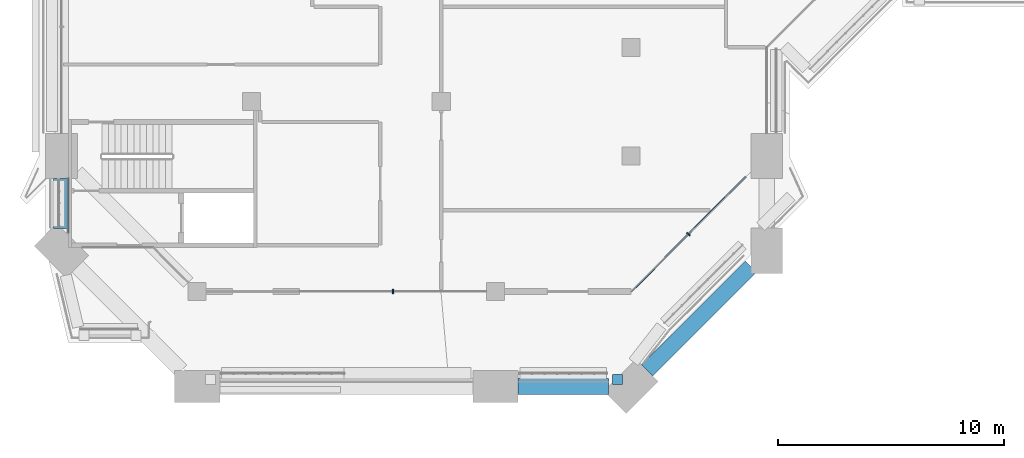
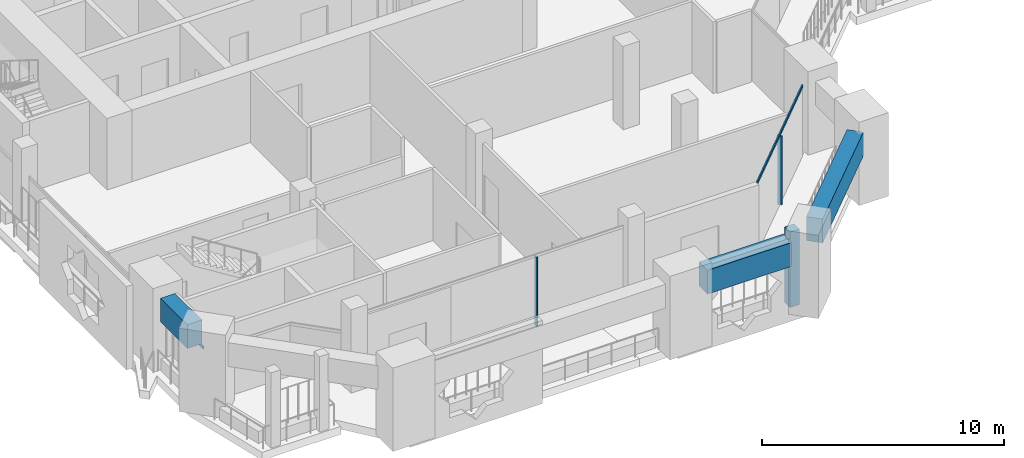
# One storey, part 2 of 22: 5 members, 3 beams, 4 elements without a shape of their own.
"""IFC4 building model written with IfcOpenShell, lengths in metres."""

import ifcopenshell
import ifcopenshell.guid

model = None  # the IFC model being written
_history = None  # IfcOwnerHistory: only IFC2X3 demands one
_inside = {}  # id of a spatial element -> (the spatial element, [elements in it])
_under = {}  # id of a project, library or spatial element -> (it, [spatial elements below it])
_declared = {}  # id of a project -> (the project, [libraries it declares])
_typed = {}  # id of a type object -> (the type object, [elements of that type])
_made_of = {}  # id of a material, layer set ... -> (it, [elements and type objects made of it])


def new_model(schema):
    """Start an empty IFC model of exactly this schema.

    Asked for "IFC4X3", IfcOpenShell would pick the latest addendum, in which some entities
    have other attributes; the version numbers below select the first issue.
    IFC2X3 requires an IfcOwnerHistory on every rooted entity: one is made here for all.
    """
    global model, _history
    if schema == "IFC4X3":
        model = ifcopenshell.file(schema_version=(4, 3, 0, 0))
    else:
        model = ifcopenshell.file(schema=schema)
    _inside.clear()
    _under.clear()
    _declared.clear()
    _typed.clear()
    _made_of.clear()
    _history = None
    if model.schema == "IFC2X3":
        org = make("IfcOrganization", Name="unknown")
        user = make(
            "IfcPersonAndOrganization",
            ThePerson=make("IfcPerson", FamilyName="unknown"),
            TheOrganization=org,
        )
        app = make(
            "IfcApplication",
            ApplicationDeveloper=org,
            Version="unknown",
            ApplicationFullName="unknown",
            ApplicationIdentifier="unknown",
        )
        _history = make(
            "IfcOwnerHistory",
            OwningUser=user,
            OwningApplication=app,
            ChangeAction="ADDED",
            CreationDate=0,
        )
    return model


def make(cls, **values):
    """One entity of the class cls with the attributes given. An attribute that is None is left unset."""
    return model.create_entity(
        cls, **{name: value for name, value in values.items() if value is not None}
    )


def rooted(cls, **values):
    """An entity with a GlobalId (a new one), such as an element, a storey or a relation."""
    return make(cls, GlobalId=ifcopenshell.guid.new(), OwnerHistory=_history, **values)


def si_unit(unit_type, name, prefix=None):
    """IfcSIUnit, for example si_unit("LENGTHUNIT", "METRE", prefix="MILLI")."""
    return make("IfcSIUnit", UnitType=unit_type, Prefix=prefix, Name=name)


def assignment(units):
    """IfcUnitAssignment: the units of a project."""
    return None if units is None else make("IfcUnitAssignment", Units=units)


def point(xyz):
    """IfcCartesianPoint."""
    return None if xyz is None else make("IfcCartesianPoint", Coordinates=xyz)


def direction(xyz):
    """IfcDirection."""
    return None if xyz is None else make("IfcDirection", DirectionRatios=xyz)


def frame(location, z_axis=None, x_axis=None):
    """IfcAxis2Placement3D, a coordinate frame: its origin and axes. An axis left out is left unset."""
    return make(
        "IfcAxis2Placement3D",
        Location=point(location),
        Axis=direction(z_axis),
        RefDirection=direction(x_axis),
    )


def frame_2d(location, x_axis=None):
    """IfcAxis2Placement2D, a coordinate frame in the plane: its origin and x axis."""
    return make(
        "IfcAxis2Placement2D", Location=point(location), RefDirection=direction(x_axis)
    )


def origin():
    """The frame at (0, 0, 0) with its axes left unset."""
    return frame((0.0, 0.0, 0.0))


def origin_2d():
    """The frame at (0, 0) in the plane with its x axis left unset."""
    return frame_2d((0.0, 0.0))


def place(relative_to, where):
    """IfcLocalPlacement: puts the frame where relative to a parent placement (None: the world)."""
    return make(
        "IfcLocalPlacement", PlacementRelTo=relative_to, RelativePlacement=where
    )


def context(
    kind, dimensions, precision=None, world=None, true_north=None, identifier=None
):
    """IfcGeometricRepresentationContext, for example the 3D "Model" context."""
    return make(
        "IfcGeometricRepresentationContext",
        ContextIdentifier=identifier,
        ContextType=kind,
        CoordinateSpaceDimension=dimensions,
        Precision=precision,
        WorldCoordinateSystem=world,
        TrueNorth=true_north,
    )


def subcontext(parent, identifier, kind, view, scale=None):
    """IfcGeometricRepresentationSubContext, for example "Body" below "Model"."""
    return make(
        "IfcGeometricRepresentationSubContext",
        ContextIdentifier=identifier,
        ContextType=kind,
        ParentContext=parent,
        TargetScale=scale,
        TargetView=view,
    )


def project(units=None, contexts=None):
    """IfcProject with its units and contexts."""
    return rooted(
        "IfcProject",
        Name="project",
        RepresentationContexts=contexts,
        UnitsInContext=assignment(units),
    )


def spatial(cls, under=None, at=None, **own):
    """A site, building, storey or space (cls), placed at a placement, below another one or the project."""
    s = rooted(cls, ObjectPlacement=at, **own)
    if under is not None:
        _under.setdefault(under.id(), (under, []))[1].append(s)
    return s


def profile(cls, at=None, kind="AREA", **sizes):
    """A parametric profile (cls). Its sizes go by their IFC names, for example OverallWidth=200.0."""
    return make(cls, ProfileType=kind, Position=at, **sizes)


def rectangle(**sizes):
    """IfcRectangleProfileDef."""
    return profile("IfcRectangleProfileDef", **sizes)


def extrude(swept, where, along, depth):
    """IfcExtrudedAreaSolid: the profile swept, set in the frame where, extruded along a direction by depth."""
    return make(
        "IfcExtrudedAreaSolid",
        SweptArea=swept,
        Position=where,
        ExtrudedDirection=direction(along),
        Depth=depth,
    )


def shape(context_of_items, identifier, shape_type, items):
    """IfcShapeRepresentation: the items that make up one representation, for example the "Body"."""
    return make(
        "IfcShapeRepresentation",
        ContextOfItems=context_of_items,
        RepresentationIdentifier=identifier,
        RepresentationType=shape_type,
        Items=items,
    )


def material(Name=None, Category=None):
    """IfcMaterial."""
    return make("IfcMaterial", Name=Name, Category=Category)


def layer(
    of_material, thickness, ventilated=None, Name=None, Category=None, Priority=None
):
    """IfcMaterialLayer: one layer of a wall or slab, of a material (None: an air gap)."""
    return make(
        "IfcMaterialLayer",
        Material=of_material,
        LayerThickness=thickness,
        IsVentilated=ventilated,
        Name=Name,
        Category=Category,
        Priority=Priority,
    )


def layer_set(layers, Name=None):
    """IfcMaterialLayerSet."""
    return make("IfcMaterialLayerSet", MaterialLayers=layers, LayerSetName=Name)


def material_profile(
    of_material, cross_section, Name=None, Category=None, Priority=None
):
    """IfcMaterialProfile: a cross section and its material."""
    return make(
        "IfcMaterialProfile",
        Name=Name,
        Material=of_material,
        Profile=cross_section,
        Priority=Priority,
        Category=Category,
    )


def profile_set(profiles, Name=None, composite=None):
    """IfcMaterialProfileSet."""
    return make(
        "IfcMaterialProfileSet",
        Name=Name,
        MaterialProfiles=profiles,
        CompositeProfile=composite,
    )


def made_of(thing, what):
    """Note that an element or type object is made of a material, layer set ...; save() writes the relation."""
    if what is not None:
        _made_of.setdefault(what.id(), (what, []))[1].append(thing)
    return thing


def type_object(cls, material=None, **own):
    """A type object (cls), such as IfcWallType, which elements share."""
    return made_of(rooted(cls, **own), material)


def element(
    cls,
    number,
    at=None,
    inside=None,
    cuts=None,
    type_object=None,
    material=None,
    context=None,
    identifier="Body",
    shape_type=None,
    held_by="IfcProductDefinitionShape",
    body=None,
    shapes=None,
    **own,
):
    """One element of the class cls, such as IfcWall. Its Tag is "e" and its number.

    at: its placement. inside: the storey or other place that contains it. cuts: it is an
    opening in that element (IfcRelVoidsElement). A single representation is given by context,
    identifier, shape_type and body (its items); several are given by shapes. held_by: the class
    of the entity that holds the representations. save() writes the other relations.
    """
    e = rooted(cls, Tag="e%d" % number, ObjectPlacement=at, **own)
    if body is not None:
        shapes = [shape(context, identifier, shape_type, body)]
    if shapes is not None:
        e.Representation = make(held_by, Representations=shapes)
    if inside is not None:
        _inside.setdefault(inside.id(), (inside, []))[1].append(e)
    if cuts is not None:
        rooted(
            "IfcRelVoidsElement", RelatingBuildingElement=cuts, RelatedOpeningElement=e
        )
    if type_object is not None:
        _typed.setdefault(type_object.id(), (type_object, []))[1].append(e)
    return made_of(e, material)


def aggregate(whole, parts):
    """IfcRelAggregates: a whole, such as a stair, and the parts it consists of."""
    return rooted("IfcRelAggregates", RelatingObject=whole, RelatedObjects=parts)


def save(model, path):
    """Write the relations noted so far, then the file.

    IfcRelAggregates (storeys below a building ...), IfcRelContainedInSpatialStructure (elements
    in a storey), IfcRelDefinesByType, IfcRelAssociatesMaterial and IfcRelDeclares: one each for
    every whole, place, type object, material and project.
    """
    for whole, parts in _under.values():
        aggregate(whole, parts)
    for where, things in _inside.values():
        rooted(
            "IfcRelContainedInSpatialStructure",
            RelatedElements=things,
            RelatingStructure=where,
        )
    for kind, things in _typed.values():
        rooted("IfcRelDefinesByType", RelatedObjects=things, RelatingType=kind)
    for what, things in _made_of.values():
        rooted("IfcRelAssociatesMaterial", RelatedObjects=things, RelatingMaterial=what)
    for by, libraries in _declared.values():
        rooted("IfcRelDeclares", RelatingContext=by, RelatedDefinitions=libraries)
    model.write(path)


model = new_model("IFC4")

# Units and contexts
model_context = context("Model", 3, precision=1e-05, world=origin(), true_north=direction((0.0, 1.0)))
body_context = subcontext(model_context, "Body", "Model", "MODEL_VIEW")
ifc_project = project(units=[si_unit("LENGTHUNIT", "METRE"), si_unit("AREAUNIT", "SQUARE_METRE"), si_unit("VOLUMEUNIT", "CUBIC_METRE"), si_unit("PLANEANGLEUNIT", "RADIAN"), si_unit("MASSUNIT", "GRAM", prefix="KILO")], contexts=[model_context])

# Site, building, storey
site_placement = place(None, origin())
site = spatial("IfcSite", under=ifc_project, at=site_placement, CompositionType="ELEMENT")
building_placement = place(site_placement, origin())
building = spatial("IfcBuilding", under=site, at=building_placement, Name="Kawkab Arch Medical Tower", CompositionType="ELEMENT")
storey_placement = place(building_placement, frame((0.0, 0.0, 294.39990234375)))
storey = spatial("IfcBuildingStorey", under=building, at=storey_placement, Name="L68", CompositionType="ELEMENT", Elevation=294.39990234375)

# Curtain wall, member
ifc_material_1 = material(Name="Bronze anodised aluminium curtain wall frame", Category="aluminium")
ifc_layer_1 = layer(ifc_material_1, 0.159912109375)
ifc_layer_set_1 = layer_set([ifc_layer_1], Name="Bronze anodised aluminium curtain wall frame")
curtain_wall_type_1 = type_object("IfcCurtainWallType", Name="CW1 ward curtain wall", PredefinedType="NOTDEFINED", material=ifc_layer_set_1)
placement = place(storey_placement, origin())
curtain_wall_1 = element("IfcCurtainWall", 1, at=placement, inside=storey, type_object=curtain_wall_type_1, Name="CW1 Ward curtain wall R07", PredefinedType="NOTDEFINED")
ifc_material_2 = material(Name="Bronze anodised aluminium curtain wall frame", Category="aluminium")
ifc_material_profile_1 = material_profile(ifc_material_2, rectangle(XDim=0.179931640625, YDim=0.06005859375, at=origin_2d()), Name="AL 60x180")
ifc_profile_set_1 = profile_set([ifc_material_profile_1], Name="Bronze anodised aluminium curtain wall frame")
member_type_1 = type_object("IfcMemberType", Name="CW1 mullion 60 x 180", PredefinedType="MULLION", material=ifc_profile_set_1)
member_1_placement = place(storey_placement, frame((14.666748046875, -42.0, 0.0), z_axis=(0.0, 0.0, 1.0), x_axis=(0.0, 1.0, 0.0)))
member_1 = element("IfcMember", 2, at=member_1_placement, type_object=member_type_1, Name="CW1 mullion 1.2", PredefinedType="MULLION", context=body_context, shape_type="SweptSolid", body=[
    extrude(rectangle(XDim=0.179931640625, YDim=0.06005859375, at=origin_2d()), origin(), (0.0, 0.0, 1.0), 3.47998046875),
])
aggregate(curtain_wall_1, [member_1])

curtain_wall_2 = element("IfcCurtainWall", 3, at=placement, inside=storey, type_object=curtain_wall_type_1, Name="CW1 Ward curtain wall R04", PredefinedType="NOTDEFINED")
ifc_material_3 = material(Name="Bronze anodised aluminium curtain wall frame", Category="aluminium")
ifc_material_profile_2 = material_profile(ifc_material_3, rectangle(XDim=0.06005859375, YDim=0.1201171875, at=origin_2d()), Name="AL 60x120")
ifc_profile_set_2 = profile_set([ifc_material_profile_2], Name="Bronze anodised aluminium curtain wall frame")
member_type_2 = type_object("IfcMemberType", Name="CW1 transom 120 x 60", PredefinedType="USERDEFINED", material=ifc_profile_set_2)
member_2_placement = place(storey_placement, frame((0.300048828125, -37.0, 2.340087890625), z_axis=(0.0, -1.0, 0.0), x_axis=(1.0, 0.0, 0.0)))
member_2 = element("IfcMember", 4, at=member_2_placement, type_object=member_type_2, Name="CW1 transom 1", ObjectType="TRANSOM", PredefinedType="USERDEFINED", context=body_context, shape_type="SweptSolid", body=[
    extrude(rectangle(XDim=0.06005859375, YDim=0.1201171875, at=origin_2d()), origin(), (0.0, 0.0, 1.0), 2.41015625),
])
aggregate(curtain_wall_2, [member_2])

# Curtain wall, members
ifc_material_4 = material(Name="Bronze anodised aluminium curtain wall frame", Category="aluminium")
ifc_layer_2 = layer(ifc_material_4, 0.159912109375)
ifc_layer_set_2 = layer_set([ifc_layer_2], Name="Bronze anodised aluminium curtain wall frame")
curtain_wall_type_2 = type_object("IfcCurtainWallType", Name="CW2 chamfer curtain wall", PredefinedType="NOTDEFINED", material=ifc_layer_set_2)
curtain_wall_3 = element("IfcCurtainWall", 5, at=placement, inside=storey, type_object=curtain_wall_type_2, Name="CW2 Chamfer curtain wall R08", PredefinedType="NOTDEFINED")
ifc_material_5 = material(Name="Bronze anodised aluminium curtain wall frame", Category="aluminium")
ifc_material_profile_3 = material_profile(ifc_material_5, rectangle(XDim=0.199951171875, YDim=0.06005859375, at=origin_2d()), Name="AL 60x200")
ifc_profile_set_3 = profile_set([ifc_material_profile_3], Name="Bronze anodised aluminium curtain wall frame")
member_type_3 = type_object("IfcMemberType", Name="CW2 mullion 60 x 200", PredefinedType="MULLION", material=ifc_profile_set_3)
member_3_placement = place(storey_placement, frame((27.73486328125, -39.465087890625, 0.0), z_axis=(0.0, 0.0, 1.0), x_axis=(-0.707106781187, 0.707106781187, 0.0)))
member_3 = element("IfcMember", 6, at=member_3_placement, type_object=member_type_3, Name="CW2 mullion 1.1", PredefinedType="MULLION", context=body_context, shape_type="SweptSolid", body=[
    extrude(rectangle(XDim=0.199951171875, YDim=0.06005859375, at=origin_2d()), origin(), (0.0, 0.0, 1.0), 3.460205078125),
])
ifc_material_6 = material(Name="Bronze anodised aluminium curtain wall frame", Category="aluminium")
ifc_material_profile_4 = material_profile(ifc_material_6, rectangle(XDim=0.06005859375, YDim=0.139892578125, at=origin_2d()), Name="AL 60x140")
ifc_profile_set_4 = profile_set([ifc_material_profile_4], Name="Bronze anodised aluminium curtain wall frame")
member_type_4 = type_object("IfcMemberType", Name="CW2 transom 140 x 60", PredefinedType="USERDEFINED", material=ifc_profile_set_4)
member_4_placement = place(storey_placement, frame((25.199951171875, -42.0, 3.530029296875), z_axis=(0.707123806981, 0.707089754982, 0.0), x_axis=(-0.707089754982, 0.707123806981, 0.0)))
member_4 = element("IfcMember", 7, at=member_4_placement, type_object=member_type_4, Name="CW2 transom 1", ObjectType="TRANSOM", PredefinedType="USERDEFINED", context=body_context, shape_type="SweptSolid", body=[
    extrude(rectangle(XDim=0.06005859375, YDim=0.139892578125, at=origin_2d()), origin(), (0.0, 0.0, 1.0), 7.169677734375),
])
aggregate(curtain_wall_3, [member_4, member_3])

# Curtain wall, member
ifc_material_7 = material(Name="Bronze anodised aluminium climber frame, planted", Category="aluminium")
ifc_layer_3 = layer(ifc_material_7, 0.449951171875)
ifc_layer_set_3 = layer_set([ifc_layer_3], Name="Bronze anodised aluminium climber frame, planted")
curtain_wall_type_3 = type_object("IfcCurtainWallType", Name="Planted climber frame", PredefinedType="NOTDEFINED", material=ifc_layer_set_3)
curtain_wall_4 = element("IfcCurtainWall", 8, at=placement, inside=storey, type_object=curtain_wall_type_3, Name="Planted climber frame L68", PredefinedType="NOTDEFINED")
ifc_material_8 = material(Name="Bronze anodised aluminium climber frame, planted", Category="aluminium")
ifc_material_profile_5 = material_profile(ifc_material_8, rectangle(XDim=0.449951171875, YDim=0.449951171875, at=origin_2d()), Name="Post 450x450")
ifc_profile_set_5 = profile_set([ifc_material_profile_5], Name="Bronze anodised aluminium climber frame, planted")
member_type_5 = type_object("IfcMemberType", Name="Planted climber post 450 x 450", PredefinedType="MULLION", material=ifc_profile_set_5)
member_5_placement = place(storey_placement, frame((24.60302734375, -45.89990234375, 0.0), z_axis=(0.0, 0.0, 1.0), x_axis=(1.0, 0.0, 0.0)))
member_5 = element("IfcMember", 9, at=member_5_placement, type_object=member_type_5, Name="Planted climber post L68.LOG-01-01.7", PredefinedType="MULLION", context=body_context, shape_type="SweptSolid", body=[
    extrude(rectangle(XDim=0.449951171875, YDim=0.449951171875, at=origin_2d()), origin(), (0.0, 0.0, 1.0), 3.800048828125),
])
aggregate(curtain_wall_4, [member_5])

# Beams
ifc_material_9 = material(Name="Concrete C40/50", Category="concrete")
ifc_material_profile_6 = material_profile(ifc_material_9, rectangle(XDim=0.699951171875, YDim=1.199951171875, at=origin_2d()), Name="RC 700x1200")
ifc_profile_set_6 = profile_set([ifc_material_profile_6], Name="Concrete C40/50")
beam_type = type_object("IfcBeamType", Name="RC 700x1200 beam C40/50", PredefinedType="BEAM", material=ifc_profile_set_6)
beam_1_placement = place(storey_placement, frame((30.5, -40.89990234375, 3.0), z_axis=(-0.707106781187, -0.707106781187, 0.0), x_axis=(0.707106781187, -0.707106781187, 0.0)))
element("IfcBeam", 10, at=beam_1_placement, inside=storey, type_object=beam_type, Name="Terrace frame beam TF-L67-1-L69-02", PredefinedType="BEAM", context=body_context, shape_type="SweptSolid", body=[
    extrude(rectangle(XDim=0.699951171875, YDim=1.199951171875, at=origin_2d()), origin(), (0.0, 0.0, 1.0), 6.49560546875),
])
beam_2_placement = place(storey_placement, frame((24.210205078125, -46.199951171875, 3.0), z_axis=(-1.0, 0.0, 0.0), x_axis=(0.0, -1.0, 0.0)))
element("IfcBeam", 11, at=beam_2_placement, inside=storey, type_object=beam_type, Name="Terrace frame beam TF-L67-1-L69-03", PredefinedType="BEAM", context=body_context, shape_type="SweptSolid", body=[
    extrude(rectangle(XDim=0.699951171875, YDim=1.199951171875, at=origin_2d()), origin(), (0.0, 0.0, 1.0), 4.01025390625),
])
beam_3_placement = place(storey_placement, frame((0.0, -39.210205078125, 3.0), z_axis=(0.0, 1.0, 0.0), x_axis=(-1.0, 0.0, 0.0)))
element("IfcBeam", 12, at=beam_3_placement, inside=storey, type_object=beam_type, Name="Terrace frame beam TF-L67-1-L69-06", PredefinedType="BEAM", context=body_context, shape_type="SweptSolid", body=[
    extrude(rectangle(XDim=0.699951171875, YDim=1.199951171875, at=origin_2d()), origin(), (0.0, 0.0, 1.0), 2.210205078125),
])

save(model, "model.ifc")
